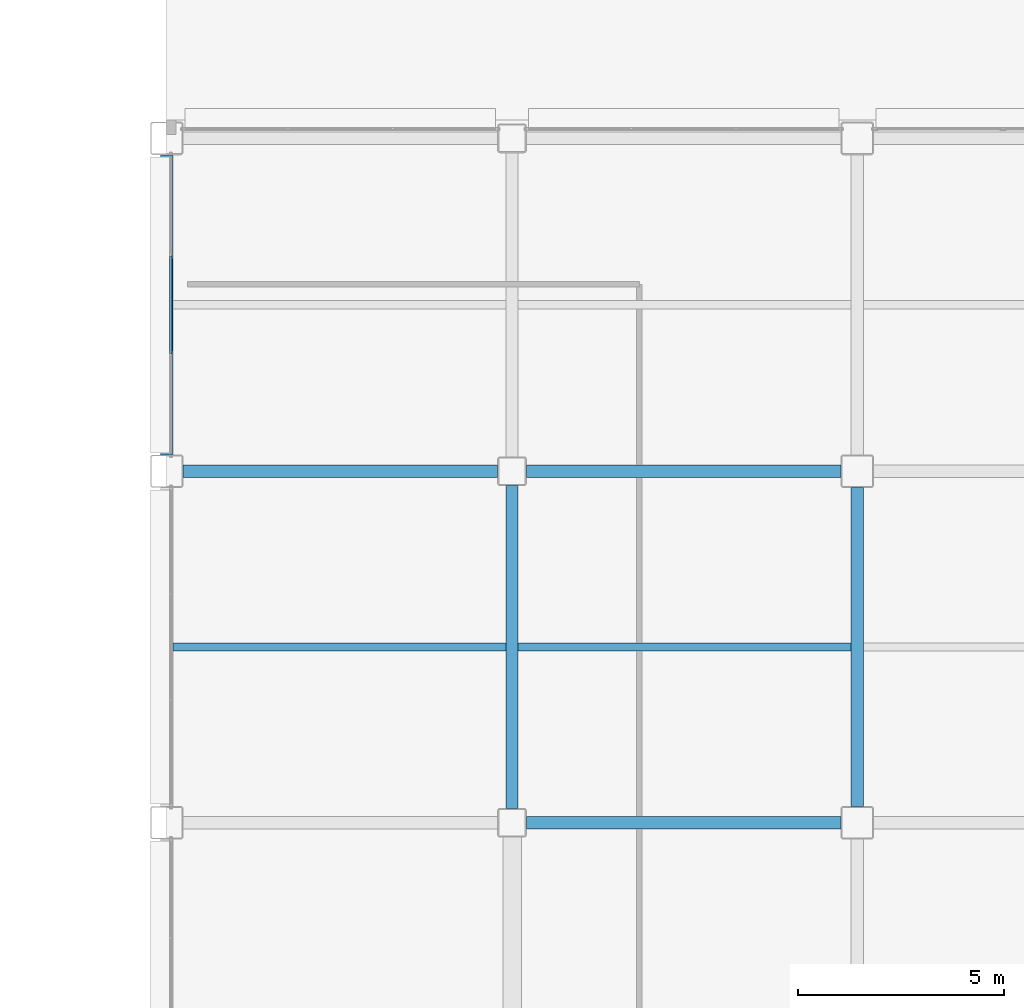
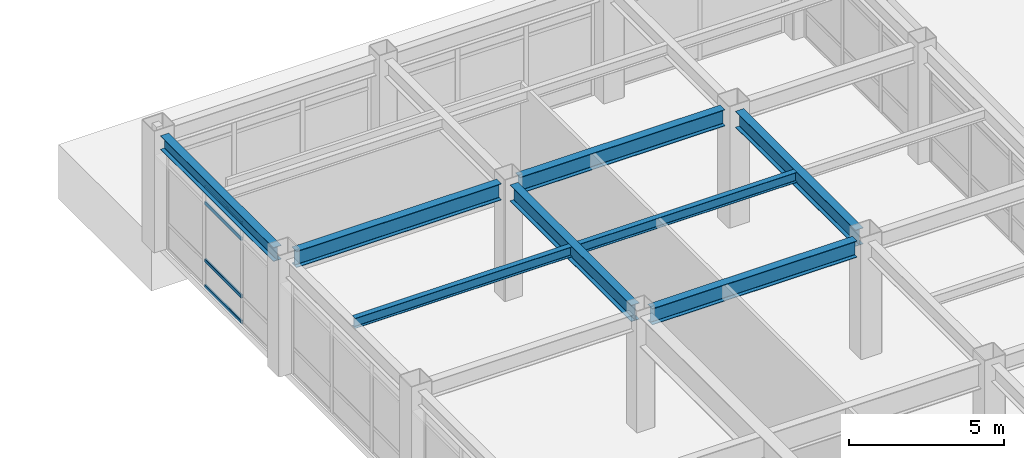
# One storey, part 118 of 172: 8 beams, 4 members, 1 element without a shape of its own.
"""IFC4 building model written with IfcOpenShell, lengths in metres."""

import ifcopenshell
import ifcopenshell.guid

model = None  # the IFC model being written
_history = None  # IfcOwnerHistory: only IFC2X3 demands one
_inside = {}  # id of a spatial element -> (the spatial element, [elements in it])
_under = {}  # id of a project, library or spatial element -> (it, [spatial elements below it])
_declared = {}  # id of a project -> (the project, [libraries it declares])
_typed = {}  # id of a type object -> (the type object, [elements of that type])
_made_of = {}  # id of a material, layer set ... -> (it, [elements and type objects made of it])


def new_model(schema):
    """Start an empty IFC model of exactly this schema.

    Asked for "IFC4X3", IfcOpenShell would pick the latest addendum, in which some entities
    have other attributes; the version numbers below select the first issue.
    IFC2X3 requires an IfcOwnerHistory on every rooted entity: one is made here for all.
    """
    global model, _history
    if schema == "IFC4X3":
        model = ifcopenshell.file(schema_version=(4, 3, 0, 0))
    else:
        model = ifcopenshell.file(schema=schema)
    _inside.clear()
    _under.clear()
    _declared.clear()
    _typed.clear()
    _made_of.clear()
    _history = None
    if model.schema == "IFC2X3":
        org = make("IfcOrganization", Name="unknown")
        user = make(
            "IfcPersonAndOrganization",
            ThePerson=make("IfcPerson", FamilyName="unknown"),
            TheOrganization=org,
        )
        app = make(
            "IfcApplication",
            ApplicationDeveloper=org,
            Version="unknown",
            ApplicationFullName="unknown",
            ApplicationIdentifier="unknown",
        )
        _history = make(
            "IfcOwnerHistory",
            OwningUser=user,
            OwningApplication=app,
            ChangeAction="ADDED",
            CreationDate=0,
        )
    return model


def make(cls, **values):
    """One entity of the class cls with the attributes given. An attribute that is None is left unset."""
    return model.create_entity(
        cls, **{name: value for name, value in values.items() if value is not None}
    )


def rooted(cls, **values):
    """An entity with a GlobalId (a new one), such as an element, a storey or a relation."""
    return make(cls, GlobalId=ifcopenshell.guid.new(), OwnerHistory=_history, **values)


def si_unit(unit_type, name, prefix=None):
    """IfcSIUnit, for example si_unit("LENGTHUNIT", "METRE", prefix="MILLI")."""
    return make("IfcSIUnit", UnitType=unit_type, Prefix=prefix, Name=name)


def assignment(units):
    """IfcUnitAssignment: the units of a project."""
    return None if units is None else make("IfcUnitAssignment", Units=units)


def point(xyz):
    """IfcCartesianPoint."""
    return None if xyz is None else make("IfcCartesianPoint", Coordinates=xyz)


def direction(xyz):
    """IfcDirection."""
    return None if xyz is None else make("IfcDirection", DirectionRatios=xyz)


def frame(location, z_axis=None, x_axis=None):
    """IfcAxis2Placement3D, a coordinate frame: its origin and axes. An axis left out is left unset."""
    return make(
        "IfcAxis2Placement3D",
        Location=point(location),
        Axis=direction(z_axis),
        RefDirection=direction(x_axis),
    )


def frame_2d(location, x_axis=None):
    """IfcAxis2Placement2D, a coordinate frame in the plane: its origin and x axis."""
    return make(
        "IfcAxis2Placement2D", Location=point(location), RefDirection=direction(x_axis)
    )


def origin():
    """The frame at (0, 0, 0) with its axes left unset."""
    return frame((0.0, 0.0, 0.0))


def origin_2d():
    """The frame at (0, 0) in the plane with its x axis left unset."""
    return frame_2d((0.0, 0.0))


def place(relative_to, where):
    """IfcLocalPlacement: puts the frame where relative to a parent placement (None: the world)."""
    return make(
        "IfcLocalPlacement", PlacementRelTo=relative_to, RelativePlacement=where
    )


def context(
    kind, dimensions, precision=None, world=None, true_north=None, identifier=None
):
    """IfcGeometricRepresentationContext, for example the 3D "Model" context."""
    return make(
        "IfcGeometricRepresentationContext",
        ContextIdentifier=identifier,
        ContextType=kind,
        CoordinateSpaceDimension=dimensions,
        Precision=precision,
        WorldCoordinateSystem=world,
        TrueNorth=true_north,
    )


def subcontext(parent, identifier, kind, view, scale=None):
    """IfcGeometricRepresentationSubContext, for example "Body" below "Model"."""
    return make(
        "IfcGeometricRepresentationSubContext",
        ContextIdentifier=identifier,
        ContextType=kind,
        ParentContext=parent,
        TargetScale=scale,
        TargetView=view,
    )


def project(units=None, contexts=None):
    """IfcProject with its units and contexts."""
    return rooted(
        "IfcProject",
        Name="project",
        RepresentationContexts=contexts,
        UnitsInContext=assignment(units),
    )


def spatial(cls, under=None, at=None, **own):
    """A site, building, storey or space (cls), placed at a placement, below another one or the project."""
    s = rooted(cls, ObjectPlacement=at, **own)
    if under is not None:
        _under.setdefault(under.id(), (under, []))[1].append(s)
    return s


def profile(cls, at=None, kind="AREA", **sizes):
    """A parametric profile (cls). Its sizes go by their IFC names, for example OverallWidth=200.0."""
    return make(cls, ProfileType=kind, Position=at, **sizes)


def hollow_rectangle(**sizes):
    """IfcRectangleHollowProfileDef."""
    return profile("IfcRectangleHollowProfileDef", **sizes)


def i_section(**sizes):
    """IfcIShapeProfileDef."""
    return profile("IfcIShapeProfileDef", **sizes)


def extrude(swept, where, along, depth):
    """IfcExtrudedAreaSolid: the profile swept, set in the frame where, extruded along a direction by depth."""
    return make(
        "IfcExtrudedAreaSolid",
        SweptArea=swept,
        Position=where,
        ExtrudedDirection=direction(along),
        Depth=depth,
    )


def shape(context_of_items, identifier, shape_type, items):
    """IfcShapeRepresentation: the items that make up one representation, for example the "Body"."""
    return make(
        "IfcShapeRepresentation",
        ContextOfItems=context_of_items,
        RepresentationIdentifier=identifier,
        RepresentationType=shape_type,
        Items=items,
    )


def material(Name=None, Category=None):
    """IfcMaterial."""
    return make("IfcMaterial", Name=Name, Category=Category)


def layer(
    of_material, thickness, ventilated=None, Name=None, Category=None, Priority=None
):
    """IfcMaterialLayer: one layer of a wall or slab, of a material (None: an air gap)."""
    return make(
        "IfcMaterialLayer",
        Material=of_material,
        LayerThickness=thickness,
        IsVentilated=ventilated,
        Name=Name,
        Category=Category,
        Priority=Priority,
    )


def layer_set(layers, Name=None):
    """IfcMaterialLayerSet."""
    return make("IfcMaterialLayerSet", MaterialLayers=layers, LayerSetName=Name)


def material_profile(
    of_material, cross_section, Name=None, Category=None, Priority=None
):
    """IfcMaterialProfile: a cross section and its material."""
    return make(
        "IfcMaterialProfile",
        Name=Name,
        Material=of_material,
        Profile=cross_section,
        Priority=Priority,
        Category=Category,
    )


def profile_set(profiles, Name=None, composite=None):
    """IfcMaterialProfileSet."""
    return make(
        "IfcMaterialProfileSet",
        Name=Name,
        MaterialProfiles=profiles,
        CompositeProfile=composite,
    )


def made_of(thing, what):
    """Note that an element or type object is made of a material, layer set ...; save() writes the relation."""
    if what is not None:
        _made_of.setdefault(what.id(), (what, []))[1].append(thing)
    return thing


def type_object(cls, material=None, **own):
    """A type object (cls), such as IfcWallType, which elements share."""
    return made_of(rooted(cls, **own), material)


def element(
    cls,
    number,
    at=None,
    inside=None,
    cuts=None,
    type_object=None,
    material=None,
    context=None,
    identifier="Body",
    shape_type=None,
    held_by="IfcProductDefinitionShape",
    body=None,
    shapes=None,
    **own,
):
    """One element of the class cls, such as IfcWall. Its Tag is "e" and its number.

    at: its placement. inside: the storey or other place that contains it. cuts: it is an
    opening in that element (IfcRelVoidsElement). A single representation is given by context,
    identifier, shape_type and body (its items); several are given by shapes. held_by: the class
    of the entity that holds the representations. save() writes the other relations.
    """
    e = rooted(cls, Tag="e%d" % number, ObjectPlacement=at, **own)
    if body is not None:
        shapes = [shape(context, identifier, shape_type, body)]
    if shapes is not None:
        e.Representation = make(held_by, Representations=shapes)
    if inside is not None:
        _inside.setdefault(inside.id(), (inside, []))[1].append(e)
    if cuts is not None:
        rooted(
            "IfcRelVoidsElement", RelatingBuildingElement=cuts, RelatedOpeningElement=e
        )
    if type_object is not None:
        _typed.setdefault(type_object.id(), (type_object, []))[1].append(e)
    return made_of(e, material)


def aggregate(whole, parts):
    """IfcRelAggregates: a whole, such as a stair, and the parts it consists of."""
    return rooted("IfcRelAggregates", RelatingObject=whole, RelatedObjects=parts)


def save(model, path):
    """Write the relations noted so far, then the file.

    IfcRelAggregates (storeys below a building ...), IfcRelContainedInSpatialStructure (elements
    in a storey), IfcRelDefinesByType, IfcRelAssociatesMaterial and IfcRelDeclares: one each for
    every whole, place, type object, material and project.
    """
    for whole, parts in _under.values():
        aggregate(whole, parts)
    for where, things in _inside.values():
        rooted(
            "IfcRelContainedInSpatialStructure",
            RelatedElements=things,
            RelatingStructure=where,
        )
    for kind, things in _typed.values():
        rooted("IfcRelDefinesByType", RelatedObjects=things, RelatingType=kind)
    for what, things in _made_of.values():
        rooted("IfcRelAssociatesMaterial", RelatedObjects=things, RelatingMaterial=what)
    for by, libraries in _declared.values():
        rooted("IfcRelDeclares", RelatingContext=by, RelatedDefinitions=libraries)
    model.write(path)


model = new_model("IFC4")

# Units and contexts
model_context = context("Model", 3, precision=1e-05, world=origin(), true_north=direction((0.0, 1.0)))
body_context = subcontext(model_context, "Body", "Model", "MODEL_VIEW")
ifc_project = project(units=[si_unit("LENGTHUNIT", "METRE"), si_unit("AREAUNIT", "SQUARE_METRE"), si_unit("VOLUMEUNIT", "CUBIC_METRE"), si_unit("PLANEANGLEUNIT", "RADIAN"), si_unit("MASSUNIT", "GRAM", prefix="KILO")], contexts=[model_context])

# Site, building, storey
site_placement = place(None, origin())
site = spatial("IfcSite", under=ifc_project, at=site_placement, CompositionType="ELEMENT")
building_placement = place(site_placement, origin())
building = spatial("IfcBuilding", under=site, at=building_placement, Name="Kazehara Bluff Congress Hotel", CompositionType="ELEMENT")
storey_placement = place(building_placement, frame((0.0, 0.0, 5.39990234375)))
storey = spatial("IfcBuildingStorey", under=building, at=storey_placement, Name="L01", CompositionType="ELEMENT", Elevation=5.39990234375)

# Curtain wall, members
ifc_material_1 = material(Name="Anodised aluminium", Category="aluminium")
ifc_layer = layer(ifc_material_1, 0.159912109375)
ifc_layer_set = layer_set([ifc_layer], Name="Anodised aluminium")
curtain_wall_type = type_object("IfcCurtainWallType", Name="TP-CW-124", PredefinedType="NOTDEFINED", material=ifc_layer_set)
curtain_wall_placement = place(storey_placement, origin())
curtain_wall = element("IfcCurtainWall", 1, at=curtain_wall_placement, inside=storey, type_object=curtain_wall_type, Name="L01 curtain wall CW-124 CW-ENC-V5-L01-14380-10950", PredefinedType="NOTDEFINED")
ifc_material_2 = material(Name="Anodised aluminium", Category="aluminium")
ifc_material_profile_1 = material_profile(ifc_material_2, hollow_rectangle(XDim=0.06494140625, YDim=0.139892578125, WallThickness=0.00390625, InnerFilletRadius=0.00390625, OuterFilletRadius=0.008056640625, at=origin_2d()))
ifc_profile_set_1 = profile_set([ifc_material_profile_1], Name="Anodised aluminium")
member_type = type_object("IfcMemberType", Name="TP-CWT-02", PredefinedType="USERDEFINED", material=ifc_profile_set_1)
member_1_placement = place(storey_placement, frame((143.800048828125, 108.31591796875, 0.03271484375), z_axis=(0.0, 1.0, 0.0), x_axis=(-1.0, 0.0, 0.0)))
member_1 = element("IfcMember", 2, at=member_1_placement, type_object=member_type, Name="CW-124 transom 2.1", ObjectType="TRANSOM", PredefinedType="USERDEFINED", context=body_context, shape_type="SweptSolid", body=[
    extrude(hollow_rectangle(XDim=0.06494140625, YDim=0.139892578125, WallThickness=0.00390625, InnerFilletRadius=0.00390625, OuterFilletRadius=0.008056640625, at=origin_2d()), origin(), (0.0, 0.0, 1.0), 2.3681640625),
])
member_2_placement = place(storey_placement, frame((143.800048828125, 108.31591796875, 1.050048828125), z_axis=(0.0, 1.0, 0.0), x_axis=(-1.0, 0.0, 0.0)))
member_2 = element("IfcMember", 3, at=member_2_placement, type_object=member_type, Name="CW-124 transom 2.2", ObjectType="TRANSOM", PredefinedType="USERDEFINED", context=body_context, shape_type="SweptSolid", body=[
    extrude(hollow_rectangle(XDim=0.06494140625, YDim=0.139892578125, WallThickness=0.00390625, InnerFilletRadius=0.00390625, OuterFilletRadius=0.008056640625, at=origin_2d()), origin(), (0.0, 0.0, 1.0), 2.3681640625),
])
member_3_placement = place(storey_placement, frame((143.800048828125, 108.31591796875, 3.3251953125), z_axis=(0.0, 1.0, 0.0), x_axis=(-1.0, 0.0, 0.0)))
member_3 = element("IfcMember", 4, at=member_3_placement, type_object=member_type, Name="CW-124 transom 2.3", ObjectType="TRANSOM", PredefinedType="USERDEFINED", context=body_context, shape_type="SweptSolid", body=[
    extrude(hollow_rectangle(XDim=0.06494140625, YDim=0.139892578125, WallThickness=0.00390625, InnerFilletRadius=0.00390625, OuterFilletRadius=0.008056640625, at=origin_2d()), origin(), (0.0, 0.0, 1.0), 2.3681640625),
])
member_4_placement = place(storey_placement, frame((143.800048828125, 108.31591796875, 3.942626953125), z_axis=(0.0, 1.0, 0.0), x_axis=(-1.0, 0.0, 0.0)))
member_4 = element("IfcMember", 5, at=member_4_placement, type_object=member_type, Name="CW-124 transom 2.4", ObjectType="TRANSOM", PredefinedType="USERDEFINED", context=body_context, shape_type="SweptSolid", body=[
    extrude(hollow_rectangle(XDim=0.06494140625, YDim=0.139892578125, WallThickness=0.00390625, InnerFilletRadius=0.00390625, OuterFilletRadius=0.008056640625, at=origin_2d()), origin(), (0.0, 0.0, 1.0), 2.3681640625),
])
aggregate(curtain_wall, [member_1, member_2, member_3, member_4])

# Beams
ifc_material_3 = material(Name="Steel SN490B", Category="steel")
ifc_material_profile_2 = material_profile(ifc_material_3, i_section(OverallWidth=0.300048828125, OverallDepth=0.64990234375, WebThickness=0.011962890625, FlangeThickness=0.02001953125, FilletRadius=0.012939453125, at=origin_2d()))
ifc_profile_set_2 = profile_set([ifc_material_profile_2], Name="Steel SN490B")
beam_type_1 = type_object("IfcBeamType", Name="TP-G-03", PredefinedType="BEAM", material=ifc_profile_set_2)
beam_1_placement = place(storey_placement, frame((152.10009765625, 97.25, 4.22509765625), z_axis=(0.0, 1.0, 0.0), x_axis=(-1.0, 0.0, 0.0)))
element("IfcBeam", 6, at=beam_1_placement, inside=storey, type_object=beam_type_1, Name="L01 girder G-03 247", PredefinedType="BEAM", context=body_context, shape_type="SweptSolid", body=[
    extrude(i_section(OverallWidth=0.300048828125, OverallDepth=0.64990234375, WebThickness=0.011962890625, FlangeThickness=0.02001953125, FilletRadius=0.012939453125, at=origin_2d()), origin(), (0.0, 0.0, 1.0), 7.85009765625),
])
beam_2_placement = place(storey_placement, frame((160.5, 97.300048828125, 4.22509765625), z_axis=(0.0, 1.0, 0.0), x_axis=(-1.0, 0.0, 0.0)))
element("IfcBeam", 7, at=beam_2_placement, inside=storey, type_object=beam_type_1, Name="L01 girder G-03 258", PredefinedType="BEAM", context=body_context, shape_type="SweptSolid", body=[
    extrude(i_section(OverallWidth=0.300048828125, OverallDepth=0.64990234375, WebThickness=0.011962890625, FlangeThickness=0.02001953125, FilletRadius=0.012939453125, at=origin_2d()), origin(), (0.0, 0.0, 1.0), 7.75),
])
beam_3_placement = place(storey_placement, frame((152.449951171875, 96.89990234375, 4.22509765625), z_axis=(1.0, 0.0, 0.0), x_axis=(0.0, 1.0, 0.0)))
element("IfcBeam", 8, at=beam_3_placement, inside=storey, type_object=beam_type_1, Name="L01 girder G-03 311", PredefinedType="BEAM", context=body_context, shape_type="SweptSolid", body=[
    extrude(i_section(OverallWidth=0.300048828125, OverallDepth=0.64990234375, WebThickness=0.011962890625, FlangeThickness=0.02001953125, FilletRadius=0.012939453125, at=origin_2d()), origin(), (0.0, 0.0, 1.0), 7.650146484375),
])
beam_4_placement = place(storey_placement, frame((144.10009765625, 105.449951171875, 4.22509765625), z_axis=(1.0, 0.0, 0.0), x_axis=(0.0, 1.0, 0.0)))
element("IfcBeam", 9, at=beam_4_placement, inside=storey, type_object=beam_type_1, Name="L01 girder G-03 313", PredefinedType="BEAM", context=body_context, shape_type="SweptSolid", body=[
    extrude(i_section(OverallWidth=0.300048828125, OverallDepth=0.64990234375, WebThickness=0.011962890625, FlangeThickness=0.02001953125, FilletRadius=0.012939453125, at=origin_2d()), origin(), (0.0, 0.0, 1.0), 7.64990234375),
])
beam_5_placement = place(storey_placement, frame((152.449951171875, 105.449951171875, 4.22509765625), z_axis=(1.0, 0.0, 0.0), x_axis=(0.0, 1.0, 0.0)))
element("IfcBeam", 10, at=beam_5_placement, inside=storey, type_object=beam_type_1, Name="L01 girder G-03 314", PredefinedType="BEAM", context=body_context, shape_type="SweptSolid", body=[
    extrude(i_section(OverallWidth=0.300048828125, OverallDepth=0.64990234375, WebThickness=0.011962890625, FlangeThickness=0.02001953125, FilletRadius=0.012939453125, at=origin_2d()), origin(), (0.0, 0.0, 1.0), 7.650146484375),
])
ifc_material_4 = material(Name="Steel SN400B", Category="steel")
ifc_material_profile_3 = material_profile(ifc_material_4, i_section(OverallWidth=0.199951171875, OverallDepth=0.39990234375, WebThickness=0.008056640625, FlangeThickness=0.012939453125, FilletRadius=0.012939453125, at=origin_2d()))
ifc_profile_set_3 = profile_set([ifc_material_profile_3], Name="Steel SN400B")
beam_type_2 = type_object("IfcBeamType", Name="TP-J-03", PredefinedType="JOIST", material=ifc_profile_set_3)
beam_6_placement = place(storey_placement, frame((143.85009765625, 101.175048828125, 4.35009765625), z_axis=(1.0, 0.0, 0.0), x_axis=(0.0, 1.0, 0.0)))
element("IfcBeam", 11, at=beam_6_placement, inside=storey, type_object=beam_type_2, Name="L01 secondary joist J-03 65", PredefinedType="JOIST", context=body_context, shape_type="SweptSolid", body=[
    extrude(i_section(OverallWidth=0.199951171875, OverallDepth=0.39990234375, WebThickness=0.008056640625, FlangeThickness=0.012939453125, FilletRadius=0.012939453125, at=origin_2d()), origin(), (0.0, 0.0, 1.0), 8.099853515625),
])
beam_7_placement = place(storey_placement, frame((152.25, 101.175048828125, 4.35009765625), z_axis=(1.0, 0.0, 0.0), x_axis=(0.0, 1.0, 0.0)))
element("IfcBeam", 12, at=beam_7_placement, inside=storey, type_object=beam_type_2, Name="L01 secondary joist J-03 69", PredefinedType="JOIST", context=body_context, shape_type="SweptSolid", body=[
    extrude(i_section(OverallWidth=0.199951171875, OverallDepth=0.39990234375, WebThickness=0.008056640625, FlangeThickness=0.012939453125, FilletRadius=0.012939453125, at=origin_2d()), origin(), (0.0, 0.0, 1.0), 8.10009765625),
])
ifc_material_5 = material(Name="Steel SN490B", Category="steel")
ifc_material_profile_4 = material_profile(ifc_material_5, i_section(OverallWidth=0.300048828125, OverallDepth=0.550048828125, WebThickness=0.010986328125, FlangeThickness=0.01806640625, FilletRadius=0.012939453125, at=origin_2d()))
ifc_profile_set_4 = profile_set([ifc_material_profile_4], Name="Steel SN490B")
beam_type_3 = type_object("IfcBeamType", Name="TP-SP-01", PredefinedType="SPANDREL", material=ifc_profile_set_4)
beam_8_placement = place(storey_placement, frame((143.699951171875, 105.85009765625, 4.275146484375), z_axis=(0.0, 1.0, 0.0), x_axis=(-1.0, 0.0, 0.0)))
element("IfcBeam", 13, at=beam_8_placement, inside=storey, type_object=beam_type_3, Name="L01 girder SP-01 241", PredefinedType="SPANDREL", context=body_context, shape_type="SweptSolid", body=[
    extrude(i_section(OverallWidth=0.300048828125, OverallDepth=0.550048828125, WebThickness=0.010986328125, FlangeThickness=0.01806640625, FilletRadius=0.012939453125, at=origin_2d()), origin(), (0.0, 0.0, 1.0), 7.2998046875),
])

save(model, "model.ifc")
